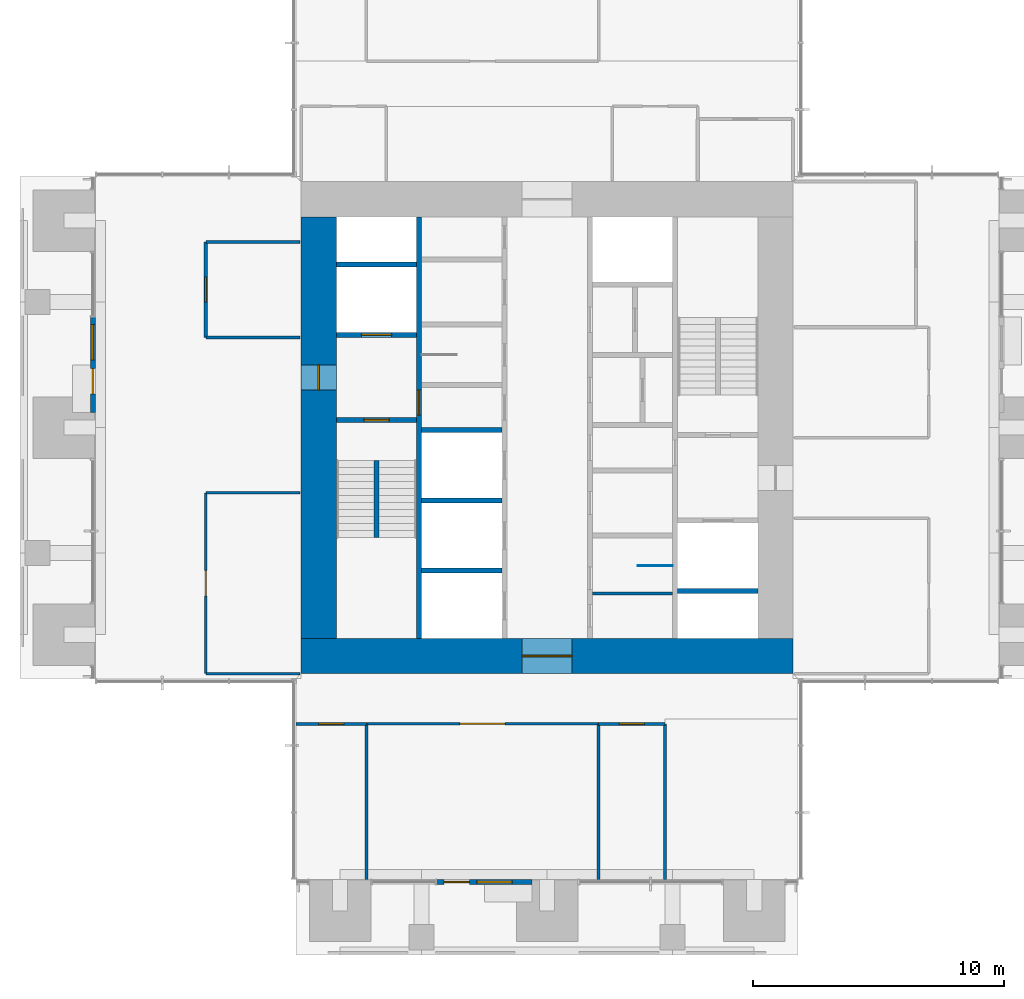
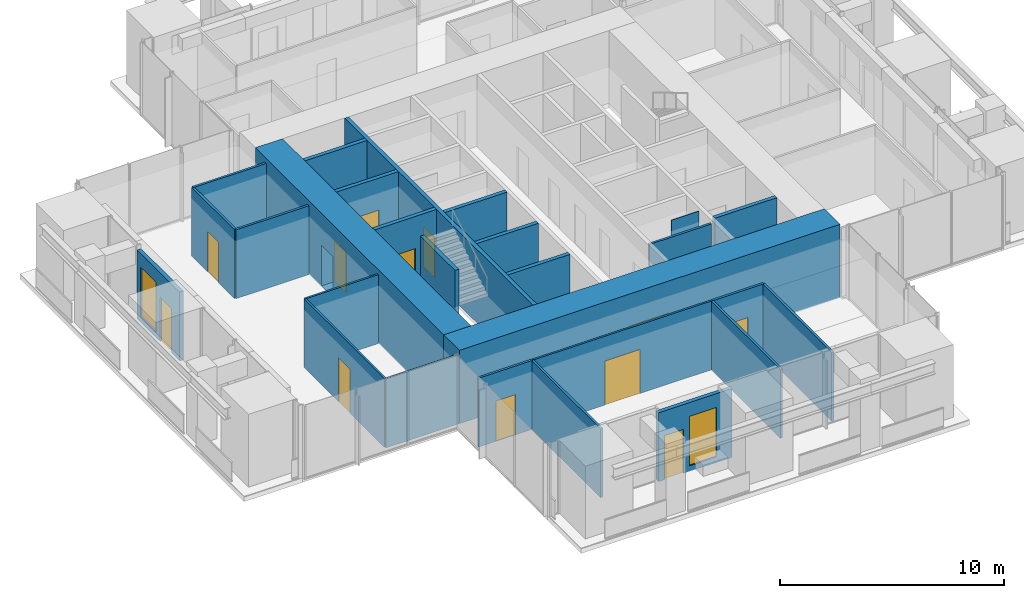
# One storey, part 12 of 17: 27 walls, 12 doors, 2 windows, 14 openings.
"""IFC4 building model written with IfcOpenShell, lengths in metres."""

from ifc_helpers import new_model, si_unit, direction, frame, frame_2d, origin, place, context, subcontext, project, spatial, rectangle, extrude, material, layer, layer_set, type_object, element, fill, save


model = new_model("IFC4")

# Units and contexts
model_context = context("Model", 3, precision=1e-05, world=origin(), true_north=direction((0.0, 1.0)))
body_context = subcontext(model_context, "Body", "Model", "MODEL_VIEW")
ifc_project = project(units=[si_unit("LENGTHUNIT", "METRE"), si_unit("AREAUNIT", "SQUARE_METRE"), si_unit("VOLUMEUNIT", "CUBIC_METRE"), si_unit("PLANEANGLEUNIT", "RADIAN"), si_unit("MASSUNIT", "GRAM", prefix="KILO")], contexts=[model_context])

# Site, building, storey
site_placement = place(None, origin())
site = spatial("IfcSite", under=ifc_project, at=site_placement, CompositionType="ELEMENT")
building_placement = place(site_placement, origin())
building = spatial("IfcBuilding", under=site, at=building_placement, Name="Svetlomir Tower", CompositionType="ELEMENT")
storey_placement = place(building_placement, frame((0.0, 0.0, 174.5)))
storey = spatial("IfcBuildingStorey", under=building, at=storey_placement, Name="L41", CompositionType="ELEMENT", Elevation=174.5)

# Wall, openings, door, window
ifc_material_1 = material(Name="Bronze anodised aluminium glazed screen", Category="aluminium")
ifc_layer_1 = layer(ifc_material_1, 0.199951171875)
ifc_layer_set_1 = layer_set([ifc_layer_1], Name="Bronze anodised aluminium glazed screen")
wall_type_1 = type_object("IfcWallType", Name="BALCONY SCREEN WALL 200", PredefinedType="USERDEFINED", material=ifc_layer_set_1)
wall_1_placement = place(storey_placement, frame((16.60009765625, 2.89990234375, 0.0), z_axis=(0.0, 0.0, 1.0), x_axis=(1.0, 0.0, 0.0)))
wall_1 = element("IfcWall", 1, at=wall_1_placement, inside=storey, type_object=wall_type_1, Name="Balcony screen S", ObjectType="GLAZED SCREEN", PredefinedType="USERDEFINED", context=body_context, shape_type="SweptSolid", body=[
    extrude(rectangle(XDim=3.7998046875, YDim=0.199951171875, at=frame_2d((1.89990234375, 0.0))), origin(), (0.0, 0.0, 1.0), 3.75),
])
opening_1_placement = place(wall_1_placement, frame((0.300048828125, 0.0, 0.0)))
opening_1 = element("IfcOpeningElement", 2, at=opening_1_placement, cuts=wall_1, Name="Opening BD", PredefinedType="OPENING", context=body_context, shape_type="SweptSolid", body=[
    extrude(rectangle(XDim=1.0, YDim=2.39990234375, at=frame_2d((0.5, 1.199951171875))), frame((0.0, 0.10986328125, 0.0), z_axis=(0.0, -1.0, 0.0), x_axis=(1.0, 0.0, 0.0)), (0.0, 0.0, 1.0), 0.219970703125),
])
opening_2_placement = place(wall_1_placement, frame((1.60009765625, 0.0, 0.300048828125)))
opening_2 = element("IfcOpeningElement", 3, at=opening_2_placement, cuts=wall_1, Name="Opening WS2", PredefinedType="OPENING", context=body_context, shape_type="SweptSolid", body=[
    extrude(rectangle(XDim=1.39990234375, YDim=2.699951171875, at=frame_2d((0.699951171875, 1.35009765625))), frame((0.0, 0.10986328125, 0.0), z_axis=(0.0, -1.0, 0.0), x_axis=(1.0, 0.0, 0.0)), (0.0, 0.0, 1.0), 0.219970703125),
])
ifc_material_2 = material(Name="Bronze anodised aluminium glazed door", Category="aluminium")
door_type_1 = type_object("IfcDoorType", Name="BALCONY DOOR BD 1000x2400", OperationType="SINGLE_SWING_LEFT", PredefinedType="DOOR", material=ifc_material_2)
door_1_placement = place(opening_1_placement, origin())
door_1 = element("IfcDoor", 4, at=door_1_placement, inside=storey, type_object=door_type_1, Name="Balcony screen S door", OperationType="SINGLE_SWING_LEFT", OverallHeight=2.39990234375, OverallWidth=1.0, PredefinedType="DOOR", context=body_context, shape_type="SweptSolid", body=[
    extrude(rectangle(XDim=1.0, YDim=2.39990234375, at=frame_2d((0.5, 1.199951171875))), frame((0.0, 0.02490234375, 0.0), z_axis=(0.0, -1.0, 0.0), x_axis=(1.0, 0.0, 0.0)), (0.0, 0.0, 1.0), 0.050048828125),
])
fill(opening_1, door_1)
ifc_material_3 = material(Name="Bronze anodised aluminium window", Category="aluminium")
window_type = type_object("IfcWindowType", Name="SCREEN WINDOW WS2 1400x2700", PartitioningType="SINGLE_PANEL", PredefinedType="WINDOW", material=ifc_material_3)
window_1_placement = place(opening_2_placement, origin())
window_1 = element("IfcWindow", 5, at=window_1_placement, inside=storey, type_object=window_type, Name="Balcony screen S window 1", OverallHeight=2.699951171875, OverallWidth=1.39990234375, PartitioningType="SINGLE_PANEL", PredefinedType="WINDOW", context=body_context, shape_type="SweptSolid", body=[
    extrude(rectangle(XDim=1.39990234375, YDim=2.699951171875, at=frame_2d((0.699951171875, 1.35009765625))), frame((0.0, 0.030029296875, 0.0), z_axis=(0.0, -1.0, 0.0), x_axis=(1.0, 0.0, 0.0)), (0.0, 0.0, 1.0), 0.06005859375),
])
fill(opening_2, window_1)

wall_2_placement = place(storey_placement, frame((2.89990234375, 25.39990234375, 0.0), z_axis=(0.0, 0.0, 1.0), x_axis=(0.0, -1.0, 0.0)))
wall_2 = element("IfcWall", 6, at=wall_2_placement, inside=storey, type_object=wall_type_1, Name="Balcony screen W", ObjectType="GLAZED SCREEN", PredefinedType="USERDEFINED", context=body_context, shape_type="SweptSolid", body=[
    extrude(rectangle(XDim=3.7998046875, YDim=0.199951171875, at=frame_2d((1.89990234375, 0.0))), origin(), (0.0, 0.0, 1.0), 3.75),
])
opening_3_placement = place(wall_2_placement, frame((2.050048828125, 0.0, 0.0)))
opening_3 = element("IfcOpeningElement", 7, at=opening_3_placement, cuts=wall_2, Name="Opening BD", PredefinedType="OPENING", context=body_context, shape_type="SweptSolid", body=[
    extrude(rectangle(XDim=1.0, YDim=2.39990234375, at=frame_2d((0.5, 1.199951171875))), frame((0.0, 0.10986328125, 0.0), z_axis=(0.0, -1.0, 0.0), x_axis=(1.0, 0.0, 0.0)), (0.0, 0.0, 1.0), 0.219970703125),
])
opening_4_placement = place(wall_2_placement, frame((0.300048828125, 0.0, 0.300048828125)))
opening_4 = element("IfcOpeningElement", 8, at=opening_4_placement, cuts=wall_2, Name="Opening WS2", PredefinedType="OPENING", context=body_context, shape_type="SweptSolid", body=[
    extrude(rectangle(XDim=1.39990234375, YDim=2.699951171875, at=frame_2d((0.699951171875, 1.35009765625))), frame((0.0, 0.10986328125, 0.0), z_axis=(0.0, -1.0, 0.0), x_axis=(1.0, 0.0, 0.0)), (0.0, 0.0, 1.0), 0.219970703125),
])
door_2_placement = place(opening_3_placement, origin())
door_2 = element("IfcDoor", 9, at=door_2_placement, inside=storey, type_object=door_type_1, Name="Balcony screen W door", OperationType="SINGLE_SWING_LEFT", OverallHeight=2.39990234375, OverallWidth=1.0, PredefinedType="DOOR", context=body_context, shape_type="SweptSolid", body=[
    extrude(rectangle(XDim=1.0, YDim=2.39990234375, at=frame_2d((0.5, 1.199951171875))), frame((0.0, 0.02490234375, 0.0), z_axis=(0.0, -1.0, 0.0), x_axis=(1.0, 0.0, 0.0)), (0.0, 0.0, 1.0), 0.050048828125),
])
fill(opening_3, door_2)
window_2_placement = place(opening_4_placement, origin())
window_2 = element("IfcWindow", 10, at=window_2_placement, inside=storey, type_object=window_type, Name="Balcony screen W window 1", OverallHeight=2.699951171875, OverallWidth=1.39990234375, PartitioningType="SINGLE_PANEL", PredefinedType="WINDOW", context=body_context, shape_type="SweptSolid", body=[
    extrude(rectangle(XDim=1.39990234375, YDim=2.699951171875, at=frame_2d((0.699951171875, 1.35009765625))), frame((0.0, 0.030029296875, 0.0), z_axis=(0.0, -1.0, 0.0), x_axis=(1.0, 0.0, 0.0)), (0.0, 0.0, 1.0), 0.06005859375),
])
fill(opening_4, window_2)

# Wall, opening, door
ifc_material_4 = material(Name="Concrete C60/75", Category="concrete")
ifc_layer_2 = layer(ifc_material_4, 0.199951171875)
ifc_layer_set_2 = layer_set([ifc_layer_2], Name="Concrete C60/75")
wall_type_2 = type_object("IfcWallType", Name="CORE INNER WALL 200", PredefinedType="SHEAR", material=ifc_layer_set_2)
wall_3_placement = place(storey_placement, frame((15.89990234375, 12.60009765625, -0.050048828125), z_axis=(0.0, 0.0, 1.0), x_axis=(0.0, 1.0, 0.0)))
wall_3 = element("IfcWall", 11, at=wall_3_placement, inside=storey, type_object=wall_type_2, Name="Core inner wall 15.9 L41", PredefinedType="SHEAR", context=body_context, shape_type="SweptSolid", body=[
    extrude(rectangle(XDim=16.7998046875, YDim=0.199951171875, at=frame_2d((8.39990234375, 0.0))), origin(), (0.0, 0.0, 1.0), 4.0),
])
opening_5_placement = place(wall_3_placement, frame((8.89990234375, 0.0, 0.050048828125)))
opening_5 = element("IfcOpeningElement", 12, at=opening_5_placement, cuts=wall_3, Name="Opening DF", PredefinedType="OPENING", context=body_context, shape_type="SweptSolid", body=[
    extrude(rectangle(XDim=1.0, YDim=2.199951171875, at=frame_2d((0.5, 1.10009765625))), frame((0.0, 0.10986328125, 0.0), z_axis=(0.0, -1.0, 0.0), x_axis=(1.0, 0.0, 0.0)), (0.0, 0.0, 1.0), 0.219970703125),
])
ifc_material_5 = material(Name="Steel fire door", Category="steel")
door_type_2 = type_object("IfcDoorType", Name="DOOR DF 1000x2200", OperationType="SINGLE_SWING_LEFT", PredefinedType="DOOR", material=ifc_material_5)
door_3_placement = place(opening_5_placement, origin())
door_3 = element("IfcDoor", 13, at=door_3_placement, inside=storey, type_object=door_type_2, Name="Core corridor west door L41", OperationType="SINGLE_SWING_LEFT", OverallHeight=2.199951171875, OverallWidth=1.0, PredefinedType="DOOR", context=body_context, shape_type="SweptSolid", body=[
    extrude(rectangle(XDim=1.0, YDim=2.199951171875, at=frame_2d((0.5, 1.10009765625))), frame((0.0, 0.02490234375, 0.0), z_axis=(0.0, -1.0, 0.0), x_axis=(1.0, 0.0, 0.0)), (0.0, 0.0, 1.0), 0.050048828125),
])
fill(opening_5, door_3)

wall_4_placement = place(storey_placement, frame((12.60009765625, 21.300048828125, -0.050048828125), z_axis=(0.0, 0.0, 1.0), x_axis=(1.0, 0.0, 0.0)))
wall_4 = element("IfcWall", 14, at=wall_4_placement, inside=storey, type_object=wall_type_2, Name="Core inner wall 12.6-15.8/21.3 L41", PredefinedType="SHEAR", context=body_context, shape_type="SweptSolid", body=[
    extrude(rectangle(XDim=3.199951171875, YDim=0.199951171875, at=frame_2d((1.60009765625, 0.0))), origin(), (0.0, 0.0, 1.0), 4.0),
])
opening_6_placement = place(wall_4_placement, frame((1.10009765625, 0.0, 0.050048828125)))
opening_6 = element("IfcOpeningElement", 15, at=opening_6_placement, cuts=wall_4, Name="Opening DF", PredefinedType="OPENING", context=body_context, shape_type="SweptSolid", body=[
    extrude(rectangle(XDim=1.0, YDim=2.199951171875, at=frame_2d((0.5, 1.10009765625))), frame((0.0, 0.10986328125, 0.0), z_axis=(0.0, -1.0, 0.0), x_axis=(1.0, 0.0, 0.0)), (0.0, 0.0, 1.0), 0.219970703125),
])
door_4_placement = place(opening_6_placement, origin())
door_4 = element("IfcDoor", 16, at=door_4_placement, inside=storey, type_object=door_type_2, Name="Stair S1 door L41", OperationType="SINGLE_SWING_RIGHT", OverallHeight=2.199951171875, OverallWidth=1.0, PredefinedType="DOOR", context=body_context, shape_type="SweptSolid", body=[
    extrude(rectangle(XDim=1.0, YDim=2.199951171875, at=frame_2d((0.5, 1.10009765625))), frame((0.0, 0.02490234375, 0.0), z_axis=(0.0, -1.0, 0.0), x_axis=(1.0, 0.0, 0.0)), (0.0, 0.0, 1.0), 0.050048828125),
])
fill(opening_6, door_4)

wall_5_placement = place(storey_placement, frame((12.60009765625, 24.699951171875, -0.050048828125), z_axis=(0.0, 0.0, 1.0), x_axis=(1.0, 0.0, 0.0)))
wall_5 = element("IfcWall", 17, at=wall_5_placement, inside=storey, type_object=wall_type_2, Name="Core inner wall 12.6-15.8/24.7 L41", PredefinedType="SHEAR", context=body_context, shape_type="SweptSolid", body=[
    extrude(rectangle(XDim=3.199951171875, YDim=0.199951171875, at=frame_2d((1.60009765625, 0.0))), origin(), (0.0, 0.0, 1.0), 4.0),
])
opening_7_placement = place(wall_5_placement, frame((1.0, 0.0, 0.050048828125)))
opening_7 = element("IfcOpeningElement", 18, at=opening_7_placement, cuts=wall_5, Name="Opening LD3", PredefinedType="OPENING", context=body_context, shape_type="SweptSolid", body=[
    extrude(rectangle(XDim=1.199951171875, YDim=2.199951171875, at=frame_2d((0.60009765625, 1.10009765625))), frame((0.0, 0.10986328125, 0.0), z_axis=(0.0, -1.0, 0.0), x_axis=(1.0, 0.0, 0.0)), (0.0, 0.0, 1.0), 0.219970703125),
])
ifc_material_6 = material(Name="Stainless steel fire-rated landing door", Category="steel")
door_type_3 = type_object("IfcDoorType", Name="FIREFIGHTING LIFT LANDING DOOR LD3 1200x2200", OperationType="DOUBLE_DOOR_SLIDING", PredefinedType="DOOR", material=ifc_material_6)
door_5_placement = place(opening_7_placement, origin())
door_5 = element("IfcDoor", 19, at=door_5_placement, inside=storey, type_object=door_type_3, Name="Landing door lift FL1 L41", OperationType="DOUBLE_DOOR_SLIDING", OverallHeight=2.199951171875, OverallWidth=1.199951171875, PredefinedType="DOOR", context=body_context, shape_type="SweptSolid", body=[
    extrude(rectangle(XDim=1.199951171875, YDim=2.199951171875, at=frame_2d((0.60009765625, 1.10009765625))), frame((0.0, 0.02490234375, 0.0), z_axis=(0.0, -1.0, 0.0), x_axis=(1.0, 0.0, 0.0)), (0.0, 0.0, 1.0), 0.050048828125),
])
fill(opening_7, door_5)

# Walls
for number, where, z_axis, x_axis, name in (
    (20, (12.60009765625, 27.5, -0.050048828125), (0.0, 0.0, 1.0), (1.0, 0.0, 0.0), "Core inner wall 12.6-15.8/27.5 L41"),
    (21, (16.0, 15.300048828125, -0.050048828125), (0.0, 0.0, 1.0), (1.0, 0.0, 0.0), "Core inner wall 16-19.2/15.3 L41"),
    (22, (16.0, 18.10009765625, -0.050048828125), (0.0, 0.0, 1.0), (1.0, 0.0, 0.0), "Core inner wall 16-19.2/18.1 L41"),
    (23, (16.0, 20.89990234375, -0.050048828125), (0.0, 0.0, 1.0), (1.0, 0.0, 0.0), "Core inner wall 16-19.2/20.9 L41"),
    (24, (26.199951171875, 14.5, -0.050048828125), (0.0, 0.0, 1.0), (1.0, 0.0, 0.0), "Core inner wall 26.2-29.4/14.5 L41"),
):
    element("IfcWall", number, at=place(storey_placement, frame(where, z_axis=z_axis, x_axis=x_axis)), inside=storey, type_object=wall_type_2, Name=name, PredefinedType="SHEAR", context=body_context, shape_type="SweptSolid", body=[
        extrude(rectangle(XDim=3.199951171875, YDim=0.199951171875, at=frame_2d((1.60009765625, 0.0))), origin(), (0.0, 0.0, 1.0), 4.0),
    ])

# Wall, opening, door
ifc_material_7 = material(Name="Concrete C60/75", Category="concrete")
ifc_layer_3 = layer(ifc_material_7, 1.39990234375)
ifc_layer_set_3 = layer_set([ifc_layer_3], Name="Concrete C60/75")
wall_type_3 = type_object("IfcWallType", Name="CORE WALL 1400", PredefinedType="SHEAR", material=ifc_layer_set_3)
wall_6_placement = place(storey_placement, frame((11.199951171875, 11.89990234375, -0.050048828125), z_axis=(0.0, 0.0, 1.0), x_axis=(1.0, 0.0, 0.0)))
wall_6 = element("IfcWall", 25, at=wall_6_placement, inside=storey, type_object=wall_type_3, Name="Core wall south L41", PredefinedType="SHEAR", context=body_context, shape_type="SweptSolid", body=[
    extrude(rectangle(XDim=19.60009765625, YDim=1.39990234375, at=frame_2d((9.800048828125, 0.0))), origin(), (0.0, 0.0, 1.0), 4.0),
])
opening_8_placement = place(wall_6_placement, frame((8.800048828125, 0.0, 0.050048828125)))
opening_8 = element("IfcOpeningElement", 26, at=opening_8_placement, cuts=wall_6, Name="Opening DL", PredefinedType="OPENING", context=body_context, shape_type="SweptSolid", body=[
    extrude(rectangle(XDim=2.0, YDim=2.199951171875, at=frame_2d((1.0, 1.10009765625))), frame((0.0, 0.7099609375, 0.0), z_axis=(0.0, -1.0, 0.0), x_axis=(1.0, 0.0, 0.0)), (0.0, 0.0, 1.0), 1.419921875),
])
ifc_material_8 = material(Name="Steel fire door", Category="steel")
door_type_4 = type_object("IfcDoorType", Name="DOOR DL 2000x2200", OperationType="DOUBLE_DOOR_SINGLE_SWING", PredefinedType="DOOR", material=ifc_material_8)
door_6_placement = place(opening_8_placement, origin())
door_6 = element("IfcDoor", 27, at=door_6_placement, inside=storey, type_object=door_type_4, Name="Lift lobby south door L41", OperationType="DOUBLE_DOOR_SINGLE_SWING", OverallHeight=2.199951171875, OverallWidth=2.0, PredefinedType="DOOR", context=body_context, shape_type="SweptSolid", body=[
    extrude(rectangle(XDim=2.0, YDim=2.199951171875, at=frame_2d((1.0, 1.10009765625))), frame((0.0, 0.02490234375, 0.0), z_axis=(0.0, -1.0, 0.0), x_axis=(1.0, 0.0, 0.0)), (0.0, 0.0, 1.0), 0.050048828125),
])
fill(opening_8, door_6)

wall_7_placement = place(storey_placement, frame((11.89990234375, 12.60009765625, -0.050048828125), z_axis=(0.0, 0.0, 1.0), x_axis=(0.0, 1.0, 0.0)))
wall_7 = element("IfcWall", 28, at=wall_7_placement, inside=storey, type_object=wall_type_3, Name="Core wall west L41", PredefinedType="SHEAR", context=body_context, shape_type="SweptSolid", body=[
    extrude(rectangle(XDim=16.7998046875, YDim=1.39990234375, at=frame_2d((8.39990234375, 0.0))), origin(), (0.0, 0.0, 1.0), 4.0),
])
opening_9_placement = place(wall_7_placement, frame((9.89990234375, 0.0, 0.050048828125)))
opening_9 = element("IfcOpeningElement", 29, at=opening_9_placement, cuts=wall_7, Name="Opening DF", PredefinedType="OPENING", context=body_context, shape_type="SweptSolid", body=[
    extrude(rectangle(XDim=1.0, YDim=2.199951171875, at=frame_2d((0.5, 1.10009765625))), frame((0.0, 0.7099609375, 0.0), z_axis=(0.0, -1.0, 0.0), x_axis=(1.0, 0.0, 0.0)), (0.0, 0.0, 1.0), 1.419921875),
])
door_7_placement = place(opening_9_placement, origin())
door_7 = element("IfcDoor", 30, at=door_7_placement, inside=storey, type_object=door_type_2, Name="Firefighting lobby west door L41", OperationType="SINGLE_SWING_RIGHT", OverallHeight=2.199951171875, OverallWidth=1.0, PredefinedType="DOOR", context=body_context, shape_type="SweptSolid", body=[
    extrude(rectangle(XDim=1.0, YDim=2.199951171875, at=frame_2d((0.5, 1.10009765625))), frame((0.0, 0.02490234375, 0.0), z_axis=(0.0, -1.0, 0.0), x_axis=(1.0, 0.0, 0.0)), (0.0, 0.0, 1.0), 0.050048828125),
])
fill(opening_9, door_7)

ifc_material_9 = material(Name="Framed laminated glass partition", Category="glass")
ifc_layer_4 = layer(ifc_material_9, 0.10009765625)
ifc_layer_set_4 = layer_set([ifc_layer_4], Name="Framed laminated glass partition")
wall_type_4 = type_object("IfcWallType", Name="GLAZED PARTITION 100", PredefinedType="PARTITIONING", material=ifc_layer_set_4)
wall_8_placement = place(storey_placement, frame((7.39990234375, 11.199951171875, 0.0), z_axis=(0.0, 0.0, 1.0), x_axis=(0.0, 1.0, 0.0)))
wall_8 = element("IfcWall", 31, at=wall_8_placement, inside=storey, type_object=wall_type_4, Name="Glazed partition L41", PredefinedType="PARTITIONING", context=body_context, shape_type="SweptSolid", body=[
    extrude(rectangle(XDim=7.199951171875, YDim=0.10009765625, at=frame_2d((3.60009765625, 0.0))), origin(), (0.0, 0.0, 1.0), 3.75),
])
opening_10_placement = place(wall_8_placement, frame((3.10009765625, 0.0, 0.0)))
opening_10 = element("IfcOpeningElement", 32, at=opening_10_placement, cuts=wall_8, Name="Opening DG", PredefinedType="OPENING", context=body_context, shape_type="SweptSolid", body=[
    extrude(rectangle(XDim=1.0, YDim=2.39990234375, at=frame_2d((0.5, 1.199951171875))), frame((0.0, 0.06005859375, 0.0), z_axis=(0.0, -1.0, 0.0), x_axis=(1.0, 0.0, 0.0)), (0.0, 0.0, 1.0), 0.1201171875),
])
ifc_material_10 = material(Name="Framed laminated glass door", Category="glass")
door_type_5 = type_object("IfcDoorType", Name="GLAZED DOOR DG 1000x2400", OperationType="SINGLE_SWING_LEFT", PredefinedType="DOOR", material=ifc_material_10)
door_8_placement = place(opening_10_placement, origin())
door_8 = element("IfcDoor", 33, at=door_8_placement, inside=storey, type_object=door_type_5, Name="Team room, 10 seats door L41", OperationType="SINGLE_SWING_LEFT", OverallHeight=2.39990234375, OverallWidth=1.0, PredefinedType="DOOR", context=body_context, shape_type="SweptSolid", body=[
    extrude(rectangle(XDim=1.0, YDim=2.39990234375, at=frame_2d((0.5, 1.199951171875))), frame((0.0, 0.02490234375, 0.0), z_axis=(0.0, -1.0, 0.0), x_axis=(1.0, 0.0, 0.0)), (0.0, 0.0, 1.0), 0.050048828125),
])
fill(opening_10, door_8)

# Walls
for number, where, z_axis, x_axis, name in (
    (34, (7.39990234375, 11.199951171875, 0.0), (0.0, 0.0, 1.0), (1.0, 0.0, 0.0), "Glazed partition L41"),
    (35, (7.39990234375, 18.39990234375, 0.0), (0.0, 0.0, 1.0), (1.0, 0.0, 0.0), "Glazed partition L41"),
):
    element("IfcWall", number, at=place(storey_placement, frame(where, z_axis=z_axis, x_axis=x_axis)), inside=storey, type_object=wall_type_4, Name=name, PredefinedType="PARTITIONING", context=body_context, shape_type="SweptSolid", body=[
        extrude(rectangle(XDim=3.75, YDim=0.10009765625, at=frame_2d((1.875, 0.0))), origin(), (0.0, 0.0, 1.0), 3.75),
    ])

# Wall, opening, door
wall_9_placement = place(storey_placement, frame((13.800048828125, 9.199951171875, 0.0), z_axis=(0.0, 0.0, 1.0), x_axis=(1.0, 0.0, 0.0)))
wall_9 = element("IfcWall", 36, at=wall_9_placement, inside=storey, type_object=wall_type_4, Name="Glazed partition L41", PredefinedType="PARTITIONING", context=body_context, shape_type="SweptSolid", body=[
    extrude(rectangle(XDim=9.25, YDim=0.10009765625, at=frame_2d((4.625, 0.0))), origin(), (0.0, 0.0, 1.0), 3.75),
])
opening_11_placement = place(wall_9_placement, frame((3.72509765625, 0.0, 0.0)))
opening_11 = element("IfcOpeningElement", 37, at=opening_11_placement, cuts=wall_9, Name="Opening DD", PredefinedType="OPENING", context=body_context, shape_type="SweptSolid", body=[
    extrude(rectangle(XDim=1.800048828125, YDim=2.39990234375, at=frame_2d((0.89990234375, 1.199951171875))), frame((0.0, 0.06005859375, 0.0), z_axis=(0.0, -1.0, 0.0), x_axis=(1.0, 0.0, 0.0)), (0.0, 0.0, 1.0), 0.1201171875),
])
ifc_material_11 = material(Name="Timber door", Category="wood")
door_type_6 = type_object("IfcDoorType", Name="DOOR DD 1800x2400", OperationType="DOUBLE_DOOR_SINGLE_SWING", PredefinedType="DOOR", material=ifc_material_11)
door_9_placement = place(opening_11_placement, origin())
door_9 = element("IfcDoor", 38, at=door_9_placement, inside=storey, type_object=door_type_6, Name="Demo and pitch room, 20 seats door L41", OperationType="DOUBLE_DOOR_SINGLE_SWING", OverallHeight=2.39990234375, OverallWidth=1.800048828125, PredefinedType="DOOR", context=body_context, shape_type="SweptSolid", body=[
    extrude(rectangle(XDim=1.800048828125, YDim=2.39990234375, at=frame_2d((0.89990234375, 1.199951171875))), frame((0.0, 0.02490234375, 0.0), z_axis=(0.0, -1.0, 0.0), x_axis=(1.0, 0.0, 0.0)), (0.0, 0.0, 1.0), 0.050048828125),
])
fill(opening_11, door_9)

# Wall
ifc_material_12 = material(Name="Gypsum board on steel studs", Category="steel")
ifc_layer_5 = layer(ifc_material_12, 0.1201171875)
ifc_layer_set_5 = layer_set([ifc_layer_5], Name="Gypsum board on steel studs")
wall_type_5 = type_object("IfcWallType", Name="PARTITION 120", PredefinedType="PARTITIONING", material=ifc_layer_set_5)
wall_10_placement = place(storey_placement, frame((22.800048828125, 14.39990234375, 0.0), z_axis=(0.0, 0.0, 1.0), x_axis=(1.0, 0.0, 0.0)))
element("IfcWall", 39, at=wall_10_placement, inside=storey, type_object=wall_type_5, Name="Floor store partition L41", PredefinedType="PARTITIONING", context=body_context, shape_type="SweptSolid", body=[
    extrude(rectangle(XDim=3.199951171875, YDim=0.1201171875, at=frame_2d((1.60009765625, 0.0))), origin(), (0.0, 0.0, 1.0), 3.75),
])

# Wall, opening, door
wall_11_placement = place(storey_placement, frame((7.39990234375, 24.60009765625, 0.0), z_axis=(0.0, 0.0, 1.0), x_axis=(0.0, 1.0, 0.0)))
wall_11 = element("IfcWall", 40, at=wall_11_placement, inside=storey, type_object=wall_type_5, Name="Partition L41", PredefinedType="PARTITIONING", context=body_context, shape_type="SweptSolid", body=[
    extrude(rectangle(XDim=3.7998046875, YDim=0.1201171875, at=frame_2d((1.89990234375, 0.0))), origin(), (0.0, 0.0, 1.0), 3.75),
])
opening_12_placement = place(wall_11_placement, frame((1.39990234375, 0.0, 0.0)))
opening_12 = element("IfcOpeningElement", 41, at=opening_12_placement, cuts=wall_11, Name="Opening DR", PredefinedType="OPENING", context=body_context, shape_type="SweptSolid", body=[
    extrude(rectangle(XDim=1.0, YDim=2.199951171875, at=frame_2d((0.5, 1.10009765625))), frame((0.0, 0.070068359375, 0.0), z_axis=(0.0, -1.0, 0.0), x_axis=(1.0, 0.0, 0.0)), (0.0, 0.0, 1.0), 0.14013671875),
])
ifc_material_13 = material(Name="Timber door, glazed side light", Category="wood")
door_type_7 = type_object("IfcDoorType", Name="DOOR DR 1000x2200", OperationType="SINGLE_SWING_LEFT", PredefinedType="DOOR", material=ifc_material_13)
door_10_placement = place(opening_12_placement, origin())
door_10 = element("IfcDoor", 42, at=door_10_placement, inside=storey, type_object=door_type_7, Name="Founders' office door L41", OperationType="SINGLE_SWING_RIGHT", OverallHeight=2.199951171875, OverallWidth=1.0, PredefinedType="DOOR", context=body_context, shape_type="SweptSolid", body=[
    extrude(rectangle(XDim=1.0, YDim=2.199951171875, at=frame_2d((0.5, 1.10009765625))), frame((0.0, 0.02490234375, 0.0), z_axis=(0.0, -1.0, 0.0), x_axis=(1.0, 0.0, 0.0)), (0.0, 0.0, 1.0), 0.050048828125),
])
fill(opening_12, door_10)

# Walls
for number, where, z_axis, x_axis, name in (
    (43, (7.39990234375, 24.60009765625, 0.0), (0.0, 0.0, 1.0), (1.0, 0.0, 0.0), "Partition L41"),
    (44, (7.39990234375, 28.39990234375, 0.0), (0.0, 0.0, 1.0), (1.0, 0.0, 0.0), "Partition L41"),
):
    element("IfcWall", number, at=place(storey_placement, frame(where, z_axis=z_axis, x_axis=x_axis)), inside=storey, type_object=wall_type_5, Name=name, PredefinedType="PARTITIONING", context=body_context, shape_type="SweptSolid", body=[
        extrude(rectangle(XDim=3.75, YDim=0.1201171875, at=frame_2d((1.875, 0.0))), origin(), (0.0, 0.0, 1.0), 3.75),
    ])

# Wall, opening, door
wall_12_placement = place(storey_placement, frame((11.0, 9.199951171875, 0.0), z_axis=(0.0, 0.0, 1.0), x_axis=(1.0, 0.0, 0.0)))
wall_12 = element("IfcWall", 45, at=wall_12_placement, inside=storey, type_object=wall_type_5, Name="Partition L41", PredefinedType="PARTITIONING", context=body_context, shape_type="SweptSolid", body=[
    extrude(rectangle(XDim=2.800048828125, YDim=0.1201171875, at=frame_2d((1.39990234375, 0.0))), origin(), (0.0, 0.0, 1.0), 3.75),
])
opening_13_placement = place(wall_12_placement, frame((0.89990234375, 0.0, 0.0)))
opening_13 = element("IfcOpeningElement", 46, at=opening_13_placement, cuts=wall_12, Name="Opening DR", PredefinedType="OPENING", context=body_context, shape_type="SweptSolid", body=[
    extrude(rectangle(XDim=1.0, YDim=2.199951171875, at=frame_2d((0.5, 1.10009765625))), frame((0.0, 0.070068359375, 0.0), z_axis=(0.0, -1.0, 0.0), x_axis=(1.0, 0.0, 0.0)), (0.0, 0.0, 1.0), 0.14013671875),
])
door_11_placement = place(opening_13_placement, origin())
door_11 = element("IfcDoor", 47, at=door_11_placement, inside=storey, type_object=door_type_7, Name="Venture partner office 1 door L41", OperationType="SINGLE_SWING_RIGHT", OverallHeight=2.199951171875, OverallWidth=1.0, PredefinedType="DOOR", context=body_context, shape_type="SweptSolid", body=[
    extrude(rectangle(XDim=1.0, YDim=2.199951171875, at=frame_2d((0.5, 1.10009765625))), frame((0.0, 0.02490234375, 0.0), z_axis=(0.0, -1.0, 0.0), x_axis=(1.0, 0.0, 0.0)), (0.0, 0.0, 1.0), 0.050048828125),
])
fill(opening_13, door_11)

# Walls
for number, where, z_axis, x_axis, name in (
    (48, (13.800048828125, 3.0, 0.0), (0.0, 0.0, 1.0), (0.0, 1.0, 0.0), "Partition L41"),
    (49, (23.050048828125, 3.0, 0.0), (0.0, 0.0, 1.0), (0.0, 1.0, 0.0), "Partition L41"),
):
    element("IfcWall", number, at=place(storey_placement, frame(where, z_axis=z_axis, x_axis=x_axis)), inside=storey, type_object=wall_type_5, Name=name, PredefinedType="PARTITIONING", context=body_context, shape_type="SweptSolid", body=[
        extrude(rectangle(XDim=6.199951171875, YDim=0.1201171875, at=frame_2d((3.10009765625, 0.0))), origin(), (0.0, 0.0, 1.0), 3.75),
    ])

# Wall, opening, door
wall_13_placement = place(storey_placement, frame((23.050048828125, 9.199951171875, 0.0), z_axis=(0.0, 0.0, 1.0), x_axis=(1.0, 0.0, 0.0)))
wall_13 = element("IfcWall", 50, at=wall_13_placement, inside=storey, type_object=wall_type_5, Name="Partition L41", PredefinedType="PARTITIONING", context=body_context, shape_type="SweptSolid", body=[
    extrude(rectangle(XDim=2.64990234375, YDim=0.1201171875, at=frame_2d((1.324951171875, 0.0))), origin(), (0.0, 0.0, 1.0), 3.75),
])
opening_14_placement = place(wall_13_placement, frame((0.824951171875, 0.0, 0.0)))
opening_14 = element("IfcOpeningElement", 51, at=opening_14_placement, cuts=wall_13, Name="Opening DR", PredefinedType="OPENING", context=body_context, shape_type="SweptSolid", body=[
    extrude(rectangle(XDim=1.0, YDim=2.199951171875, at=frame_2d((0.5, 1.10009765625))), frame((0.0, 0.070068359375, 0.0), z_axis=(0.0, -1.0, 0.0), x_axis=(1.0, 0.0, 0.0)), (0.0, 0.0, 1.0), 0.14013671875),
])
door_12_placement = place(opening_14_placement, origin())
door_12 = element("IfcDoor", 52, at=door_12_placement, inside=storey, type_object=door_type_7, Name="Venture partner office 2 door L41", OperationType="SINGLE_SWING_LEFT", OverallHeight=2.199951171875, OverallWidth=1.0, PredefinedType="DOOR", context=body_context, shape_type="SweptSolid", body=[
    extrude(rectangle(XDim=1.0, YDim=2.199951171875, at=frame_2d((0.5, 1.10009765625))), frame((0.0, 0.02490234375, 0.0), z_axis=(0.0, -1.0, 0.0), x_axis=(1.0, 0.0, 0.0)), (0.0, 0.0, 1.0), 0.050048828125),
])
fill(opening_14, door_12)

# Walls
wall_14_placement = place(storey_placement, frame((25.699951171875, 3.0, 0.0), z_axis=(0.0, 0.0, 1.0), x_axis=(0.0, 1.0, 0.0)))
element("IfcWall", 53, at=wall_14_placement, inside=storey, type_object=wall_type_5, Name="Partition L41", PredefinedType="PARTITIONING", context=body_context, shape_type="SweptSolid", body=[
    extrude(rectangle(XDim=6.199951171875, YDim=0.1201171875, at=frame_2d((3.10009765625, 0.0))), origin(), (0.0, 0.0, 1.0), 3.75),
])
ifc_material_14 = material(Name="Concrete C60/75", Category="concrete")
ifc_layer_6 = layer(ifc_material_14, 0.199951171875)
ifc_layer_set_6 = layer_set([ifc_layer_6], Name="Concrete C60/75")
wall_type_6 = type_object("IfcWallType", Name="STAIR SPINE WALL 200", PredefinedType="PARTITIONING", material=ifc_layer_set_6)
wall_15_placement = place(storey_placement, frame((14.199951171875, 16.6201171875, 0.0), z_axis=(0.0, 0.0, 1.0), x_axis=(0.0, 1.0, 0.0)))
element("IfcWall", 54, at=wall_15_placement, inside=storey, type_object=wall_type_6, Name="Stair S1 spine wall L41", PredefinedType="PARTITIONING", context=body_context, shape_type="SweptSolid", body=[
    extrude(rectangle(XDim=3.079833984375, YDim=0.199951171875, at=frame_2d((1.5400390625, 0.0))), origin(), (0.0, 0.0, 1.0), 4.0),
])
ifc_material_15 = material(Name="Compact laminate panel", Category="plastic")
ifc_layer_7 = layer(ifc_material_15, 0.030029296875)
ifc_layer_set_7 = layer_set([ifc_layer_7], Name="Compact laminate panel")
wall_type_7 = type_object("IfcWallType", Name="WC CUBICLE PARTITION 30", PredefinedType="PARTITIONING", material=ifc_layer_set_7)
wall_16_placement = place(storey_placement, frame((24.60009765625, 15.5, 0.0), z_axis=(0.0, 0.0, 1.0), x_axis=(1.0, 0.0, 0.0)))
element("IfcWall", 55, at=wall_16_placement, inside=storey, type_object=wall_type_7, Name="WC cubicle partition L41", PredefinedType="PARTITIONING", context=body_context, shape_type="SweptSolid", body=[
    extrude(rectangle(XDim=1.39990234375, YDim=0.030029296875, at=frame_2d((0.699951171875, 0.0))), origin(), (0.0, 0.0, 1.0), 3.75),
])

save(model, "model.ifc")
